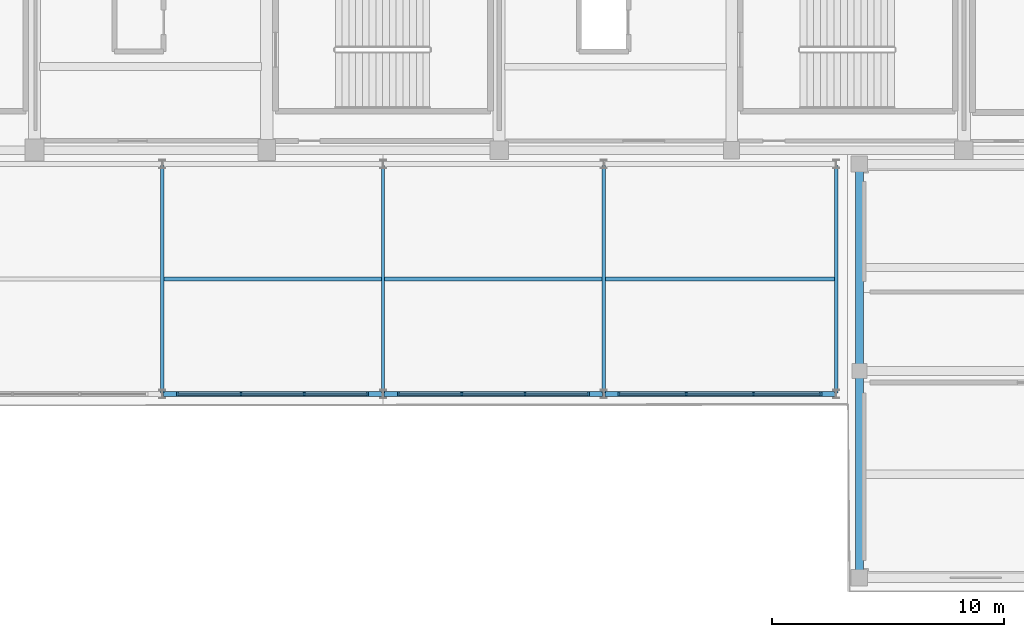
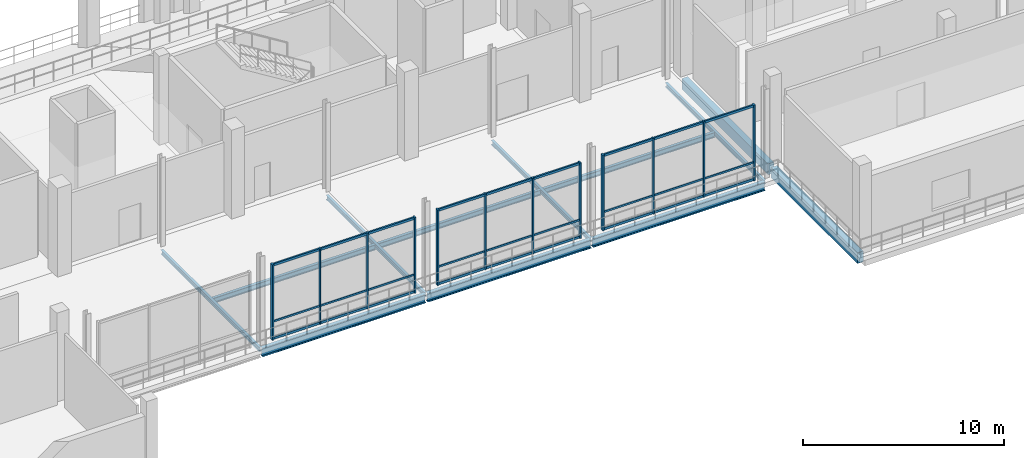
# One storey, part 23 of 127: 21 members, 12 beams, 3 elements without a shape of their own.
"""IFC4 building model written with IfcOpenShell, lengths in metres."""

import ifcopenshell
import ifcopenshell.guid

model = None  # the IFC model being written
_history = None  # IfcOwnerHistory: only IFC2X3 demands one
_inside = {}  # id of a spatial element -> (the spatial element, [elements in it])
_under = {}  # id of a project, library or spatial element -> (it, [spatial elements below it])
_declared = {}  # id of a project -> (the project, [libraries it declares])
_typed = {}  # id of a type object -> (the type object, [elements of that type])
_made_of = {}  # id of a material, layer set ... -> (it, [elements and type objects made of it])


def new_model(schema):
    """Start an empty IFC model of exactly this schema.

    Asked for "IFC4X3", IfcOpenShell would pick the latest addendum, in which some entities
    have other attributes; the version numbers below select the first issue.
    IFC2X3 requires an IfcOwnerHistory on every rooted entity: one is made here for all.
    """
    global model, _history
    if schema == "IFC4X3":
        model = ifcopenshell.file(schema_version=(4, 3, 0, 0))
    else:
        model = ifcopenshell.file(schema=schema)
    _inside.clear()
    _under.clear()
    _declared.clear()
    _typed.clear()
    _made_of.clear()
    _history = None
    if model.schema == "IFC2X3":
        org = make("IfcOrganization", Name="unknown")
        user = make(
            "IfcPersonAndOrganization",
            ThePerson=make("IfcPerson", FamilyName="unknown"),
            TheOrganization=org,
        )
        app = make(
            "IfcApplication",
            ApplicationDeveloper=org,
            Version="unknown",
            ApplicationFullName="unknown",
            ApplicationIdentifier="unknown",
        )
        _history = make(
            "IfcOwnerHistory",
            OwningUser=user,
            OwningApplication=app,
            ChangeAction="ADDED",
            CreationDate=0,
        )
    return model


def make(cls, **values):
    """One entity of the class cls with the attributes given. An attribute that is None is left unset."""
    return model.create_entity(
        cls, **{name: value for name, value in values.items() if value is not None}
    )


def rooted(cls, **values):
    """An entity with a GlobalId (a new one), such as an element, a storey or a relation."""
    return make(cls, GlobalId=ifcopenshell.guid.new(), OwnerHistory=_history, **values)


def si_unit(unit_type, name, prefix=None):
    """IfcSIUnit, for example si_unit("LENGTHUNIT", "METRE", prefix="MILLI")."""
    return make("IfcSIUnit", UnitType=unit_type, Prefix=prefix, Name=name)


def assignment(units):
    """IfcUnitAssignment: the units of a project."""
    return None if units is None else make("IfcUnitAssignment", Units=units)


def point(xyz):
    """IfcCartesianPoint."""
    return None if xyz is None else make("IfcCartesianPoint", Coordinates=xyz)


def direction(xyz):
    """IfcDirection."""
    return None if xyz is None else make("IfcDirection", DirectionRatios=xyz)


def frame(location, z_axis=None, x_axis=None):
    """IfcAxis2Placement3D, a coordinate frame: its origin and axes. An axis left out is left unset."""
    return make(
        "IfcAxis2Placement3D",
        Location=point(location),
        Axis=direction(z_axis),
        RefDirection=direction(x_axis),
    )


def frame_2d(location, x_axis=None):
    """IfcAxis2Placement2D, a coordinate frame in the plane: its origin and x axis."""
    return make(
        "IfcAxis2Placement2D", Location=point(location), RefDirection=direction(x_axis)
    )


def origin():
    """The frame at (0, 0, 0) with its axes left unset."""
    return frame((0.0, 0.0, 0.0))


def origin_2d():
    """The frame at (0, 0) in the plane with its x axis left unset."""
    return frame_2d((0.0, 0.0))


def place(relative_to, where):
    """IfcLocalPlacement: puts the frame where relative to a parent placement (None: the world)."""
    return make(
        "IfcLocalPlacement", PlacementRelTo=relative_to, RelativePlacement=where
    )


def context(
    kind, dimensions, precision=None, world=None, true_north=None, identifier=None
):
    """IfcGeometricRepresentationContext, for example the 3D "Model" context."""
    return make(
        "IfcGeometricRepresentationContext",
        ContextIdentifier=identifier,
        ContextType=kind,
        CoordinateSpaceDimension=dimensions,
        Precision=precision,
        WorldCoordinateSystem=world,
        TrueNorth=true_north,
    )


def subcontext(parent, identifier, kind, view, scale=None):
    """IfcGeometricRepresentationSubContext, for example "Body" below "Model"."""
    return make(
        "IfcGeometricRepresentationSubContext",
        ContextIdentifier=identifier,
        ContextType=kind,
        ParentContext=parent,
        TargetScale=scale,
        TargetView=view,
    )


def project(units=None, contexts=None):
    """IfcProject with its units and contexts."""
    return rooted(
        "IfcProject",
        Name="project",
        RepresentationContexts=contexts,
        UnitsInContext=assignment(units),
    )


def spatial(cls, under=None, at=None, **own):
    """A site, building, storey or space (cls), placed at a placement, below another one or the project."""
    s = rooted(cls, ObjectPlacement=at, **own)
    if under is not None:
        _under.setdefault(under.id(), (under, []))[1].append(s)
    return s


def profile(cls, at=None, kind="AREA", **sizes):
    """A parametric profile (cls). Its sizes go by their IFC names, for example OverallWidth=200.0."""
    return make(cls, ProfileType=kind, Position=at, **sizes)


def rectangle(**sizes):
    """IfcRectangleProfileDef."""
    return profile("IfcRectangleProfileDef", **sizes)


def i_section(**sizes):
    """IfcIShapeProfileDef."""
    return profile("IfcIShapeProfileDef", **sizes)


def extrude(swept, where, along, depth):
    """IfcExtrudedAreaSolid: the profile swept, set in the frame where, extruded along a direction by depth."""
    return make(
        "IfcExtrudedAreaSolid",
        SweptArea=swept,
        Position=where,
        ExtrudedDirection=direction(along),
        Depth=depth,
    )


def shape(context_of_items, identifier, shape_type, items):
    """IfcShapeRepresentation: the items that make up one representation, for example the "Body"."""
    return make(
        "IfcShapeRepresentation",
        ContextOfItems=context_of_items,
        RepresentationIdentifier=identifier,
        RepresentationType=shape_type,
        Items=items,
    )


def material(Name=None, Category=None):
    """IfcMaterial."""
    return make("IfcMaterial", Name=Name, Category=Category)


def material_profile(
    of_material, cross_section, Name=None, Category=None, Priority=None
):
    """IfcMaterialProfile: a cross section and its material."""
    return make(
        "IfcMaterialProfile",
        Name=Name,
        Material=of_material,
        Profile=cross_section,
        Priority=Priority,
        Category=Category,
    )


def profile_set(profiles, Name=None, composite=None):
    """IfcMaterialProfileSet."""
    return make(
        "IfcMaterialProfileSet",
        Name=Name,
        MaterialProfiles=profiles,
        CompositeProfile=composite,
    )


def made_of(thing, what):
    """Note that an element or type object is made of a material, layer set ...; save() writes the relation."""
    if what is not None:
        _made_of.setdefault(what.id(), (what, []))[1].append(thing)
    return thing


def type_object(cls, material=None, **own):
    """A type object (cls), such as IfcWallType, which elements share."""
    return made_of(rooted(cls, **own), material)


def element(
    cls,
    number,
    at=None,
    inside=None,
    cuts=None,
    type_object=None,
    material=None,
    context=None,
    identifier="Body",
    shape_type=None,
    held_by="IfcProductDefinitionShape",
    body=None,
    shapes=None,
    **own,
):
    """One element of the class cls, such as IfcWall. Its Tag is "e" and its number.

    at: its placement. inside: the storey or other place that contains it. cuts: it is an
    opening in that element (IfcRelVoidsElement). A single representation is given by context,
    identifier, shape_type and body (its items); several are given by shapes. held_by: the class
    of the entity that holds the representations. save() writes the other relations.
    """
    e = rooted(cls, Tag="e%d" % number, ObjectPlacement=at, **own)
    if body is not None:
        shapes = [shape(context, identifier, shape_type, body)]
    if shapes is not None:
        e.Representation = make(held_by, Representations=shapes)
    if inside is not None:
        _inside.setdefault(inside.id(), (inside, []))[1].append(e)
    if cuts is not None:
        rooted(
            "IfcRelVoidsElement", RelatingBuildingElement=cuts, RelatedOpeningElement=e
        )
    if type_object is not None:
        _typed.setdefault(type_object.id(), (type_object, []))[1].append(e)
    return made_of(e, material)


def aggregate(whole, parts):
    """IfcRelAggregates: a whole, such as a stair, and the parts it consists of."""
    return rooted("IfcRelAggregates", RelatingObject=whole, RelatedObjects=parts)


def save(model, path):
    """Write the relations noted so far, then the file.

    IfcRelAggregates (storeys below a building ...), IfcRelContainedInSpatialStructure (elements
    in a storey), IfcRelDefinesByType, IfcRelAssociatesMaterial and IfcRelDeclares: one each for
    every whole, place, type object, material and project.
    """
    for whole, parts in _under.values():
        aggregate(whole, parts)
    for where, things in _inside.values():
        rooted(
            "IfcRelContainedInSpatialStructure",
            RelatedElements=things,
            RelatingStructure=where,
        )
    for kind, things in _typed.values():
        rooted("IfcRelDefinesByType", RelatedObjects=things, RelatingType=kind)
    for what, things in _made_of.values():
        rooted("IfcRelAssociatesMaterial", RelatedObjects=things, RelatingMaterial=what)
    for by, libraries in _declared.values():
        rooted("IfcRelDeclares", RelatingContext=by, RelatedDefinitions=libraries)
    model.write(path)


model = new_model("IFC4")

# Units and contexts
model_context = context("Model", 3, precision=1e-05, world=origin(), true_north=direction((0.0, 1.0)))
body_context = subcontext(model_context, "Body", "Model", "MODEL_VIEW")
ifc_project = project(units=[si_unit("LENGTHUNIT", "METRE"), si_unit("AREAUNIT", "SQUARE_METRE"), si_unit("VOLUMEUNIT", "CUBIC_METRE"), si_unit("PLANEANGLEUNIT", "RADIAN"), si_unit("MASSUNIT", "GRAM", prefix="KILO")], contexts=[model_context])

# Site, building, storey
site_placement = place(None, origin())
site = spatial("IfcSite", under=ifc_project, at=site_placement, CompositionType="ELEMENT")
building_placement = place(site_placement, origin())
building = spatial("IfcBuilding", under=site, at=building_placement, Name="Candeia Ridge Stadium", CompositionType="ELEMENT")
storey_placement = place(building_placement, frame((0.0, 0.0, 10.800048828125)))
storey = spatial("IfcBuildingStorey", under=building, at=storey_placement, Name="L02", CompositionType="ELEMENT", Elevation=10.800048828125)

# Beams
ifc_material_1 = material(Name="Steel ASTM A572 Grade 50", Category="steel")
ifc_material_profile_1 = material_profile(ifc_material_1, i_section(OverallWidth=0.14794921875, OverallDepth=0.26611328125, WebThickness=0.007568359375, FlangeThickness=0.012939453125, FilletRadius=0.010986328125, at=origin_2d()), Name="W250x44.8", Category="steel")
ifc_profile_set_1 = profile_set([ifc_material_profile_1], Name="Steel ASTM A572 Grade 50")
beam_type_1 = type_object("IfcBeamType", Name="Canopy Edge Spandrel W250x44.8", PredefinedType="SPANDREL", material=ifc_profile_set_1)
for number, where, z_axis, x_axis, name in (
    (1, (96.5, 8.550048828125, -0.39306640625), (0.0, 1.0, 0.0), (-1.0, 0.0, 0.0), "Structural girder BM-L02-2189"),
    (2, (106.0, 8.550048828125, -0.39306640625), (0.0, 1.0, 0.0), (-1.0, 0.0, 0.0), "Structural girder BM-L02-2190"),
    (3, (115.5, 8.550048828125, -0.39306640625), (0.0, 1.0, 0.0), (-1.0, 0.0, 0.0), "Structural girder BM-L02-2191"),
    (4, (125.5, 8.550048828125, -0.39306640625), (0.0, 1.0, 0.0), (-1.0, 0.0, 0.0), "Structural girder BM-L02-2192"),
):
    element("IfcBeam", number, at=place(storey_placement, frame(where, z_axis=z_axis, x_axis=x_axis)), inside=storey, type_object=beam_type_1, Name=name, PredefinedType="SPANDREL", context=body_context, shape_type="SweptSolid", body=[
        extrude(i_section(OverallWidth=0.14794921875, OverallDepth=0.26611328125, WebThickness=0.007568359375, FlangeThickness=0.012939453125, FilletRadius=0.010986328125, at=origin_2d()), origin(), (0.0, 0.0, 1.0), 9.800048828125),
    ])

# Curtain wall, members
ifc_material_2 = material(Name="Aluminium Anodized Warm Bronze", Category="aluminium")
curtain_wall_type = type_object("IfcCurtainWallType", Name="Cardinal Entrance Gate Tall Glazed Curtain Wall", PredefinedType="NOTDEFINED", material=ifc_material_2)
curtain_wall_1_placement = place(storey_placement, origin())
curtain_wall_1 = element("IfcCurtainWall", 5, at=curtain_wall_1_placement, inside=storey, type_object=curtain_wall_type, Name="Unitised curtain wall CW-WNG-L02-128", PredefinedType="NOTDEFINED")
ifc_material_profile_2 = material_profile(ifc_material_2, rectangle(XDim=0.090087890625, YDim=0.179931640625, at=origin_2d()), Name="CWM-90x180", Category="aluminium")
ifc_profile_set_2 = profile_set([ifc_material_profile_2], Name="Aluminium Anodized Warm Bronze")
member_type_1 = type_object("IfcMemberType", Name="Curtain Wall Primary Mullion 90x180", PredefinedType="MULLION", material=ifc_profile_set_2)
member_1_placement = place(storey_placement, frame((97.159912109375, 8.5, 0.0), z_axis=(0.0, 0.0, 1.0), x_axis=(1.0, 0.0, 0.0)))
member_1 = element("IfcMember", 6, at=member_1_placement, type_object=member_type_1, Name="Curtain wall mullion CW-WNG-L02-128-M0", PredefinedType="MULLION", context=body_context, shape_type="SweptSolid", body=[
    extrude(rectangle(XDim=0.090087890625, YDim=0.179931640625, at=origin_2d()), origin(), (0.0, 0.0, 1.0), 4.60205078125),
])
member_2_placement = place(storey_placement, frame((105.340087890625, 8.5, 0.0), z_axis=(0.0, 0.0, 1.0), x_axis=(1.0, 0.0, 0.0)))
member_2 = element("IfcMember", 7, at=member_2_placement, type_object=member_type_1, Name="Curtain wall mullion CW-WNG-L02-128-M3", PredefinedType="MULLION", context=body_context, shape_type="SweptSolid", body=[
    extrude(rectangle(XDim=0.090087890625, YDim=0.179931640625, at=origin_2d()), origin(), (0.0, 0.0, 1.0), 4.60205078125),
])

curtain_wall_2_placement = place(storey_placement, origin())
curtain_wall_2 = element("IfcCurtainWall", 8, at=curtain_wall_2_placement, inside=storey, type_object=curtain_wall_type, Name="Unitised curtain wall CW-WNG-L02-129", PredefinedType="NOTDEFINED")
member_3_placement = place(storey_placement, frame((106.659912109375, 8.5, 0.0), z_axis=(0.0, 0.0, 1.0), x_axis=(1.0, 0.0, 0.0)))
member_3 = element("IfcMember", 9, at=member_3_placement, type_object=member_type_1, Name="Curtain wall mullion CW-WNG-L02-129-M0", PredefinedType="MULLION", context=body_context, shape_type="SweptSolid", body=[
    extrude(rectangle(XDim=0.090087890625, YDim=0.179931640625, at=origin_2d()), origin(), (0.0, 0.0, 1.0), 4.60205078125),
])
member_4_placement = place(storey_placement, frame((114.840087890625, 8.5, 0.0), z_axis=(0.0, 0.0, 1.0), x_axis=(1.0, 0.0, 0.0)))
member_4 = element("IfcMember", 10, at=member_4_placement, type_object=member_type_1, Name="Curtain wall mullion CW-WNG-L02-129-M3", PredefinedType="MULLION", context=body_context, shape_type="SweptSolid", body=[
    extrude(rectangle(XDim=0.090087890625, YDim=0.179931640625, at=origin_2d()), origin(), (0.0, 0.0, 1.0), 4.60205078125),
])

curtain_wall_3_placement = place(storey_placement, origin())
curtain_wall_3 = element("IfcCurtainWall", 11, at=curtain_wall_3_placement, inside=storey, type_object=curtain_wall_type, Name="Unitised curtain wall CW-WNG-L02-130", PredefinedType="NOTDEFINED")
member_5_placement = place(storey_placement, frame((116.159912109375, 8.5, 0.0), z_axis=(0.0, 0.0, 1.0), x_axis=(1.0, 0.0, 0.0)))
member_5 = element("IfcMember", 12, at=member_5_placement, type_object=member_type_1, Name="Curtain wall mullion CW-WNG-L02-130-M0", PredefinedType="MULLION", context=body_context, shape_type="SweptSolid", body=[
    extrude(rectangle(XDim=0.090087890625, YDim=0.179931640625, at=origin_2d()), origin(), (0.0, 0.0, 1.0), 4.60205078125),
])
member_6_placement = place(storey_placement, frame((124.840087890625, 8.5, 0.0), z_axis=(0.0, 0.0, 1.0), x_axis=(1.0, 0.0, 0.0)))
member_6 = element("IfcMember", 13, at=member_6_placement, type_object=member_type_1, Name="Curtain wall mullion CW-WNG-L02-130-M3", PredefinedType="MULLION", context=body_context, shape_type="SweptSolid", body=[
    extrude(rectangle(XDim=0.090087890625, YDim=0.179931640625, at=origin_2d()), origin(), (0.0, 0.0, 1.0), 4.60205078125),
])

# Member
ifc_material_profile_3 = material_profile(ifc_material_2, rectangle(XDim=0.074951171875, YDim=0.14990234375, at=origin_2d()), Name="CWM-75x150", Category="aluminium")
ifc_profile_set_3 = profile_set([ifc_material_profile_3], Name="Aluminium Anodized Warm Bronze")
member_type_2 = type_object("IfcMemberType", Name="Curtain Wall Secondary Mullion 75x150", PredefinedType="MULLION", material=ifc_profile_set_3)
member_7_placement = place(storey_placement, frame((99.88671875, 8.5, 0.0), z_axis=(0.0, 0.0, 1.0), x_axis=(1.0, 0.0, 0.0)))
member_7 = element("IfcMember", 14, at=member_7_placement, type_object=member_type_2, Name="Curtain wall mullion CW-WNG-L02-128-M1", PredefinedType="MULLION", context=body_context, shape_type="SweptSolid", body=[
    extrude(rectangle(XDim=0.074951171875, YDim=0.14990234375, at=origin_2d()), origin(), (0.0, 0.0, 1.0), 4.60205078125),
])

member_8_placement = place(storey_placement, frame((102.61328125, 8.5, 0.0), z_axis=(0.0, 0.0, 1.0), x_axis=(1.0, 0.0, 0.0)))
member_8 = element("IfcMember", 15, at=member_8_placement, type_object=member_type_2, Name="Curtain wall mullion CW-WNG-L02-128-M2", PredefinedType="MULLION", context=body_context, shape_type="SweptSolid", body=[
    extrude(rectangle(XDim=0.074951171875, YDim=0.14990234375, at=origin_2d()), origin(), (0.0, 0.0, 1.0), 4.60205078125),
])

member_9_placement = place(storey_placement, frame((109.38671875, 8.5, 0.0), z_axis=(0.0, 0.0, 1.0), x_axis=(1.0, 0.0, 0.0)))
member_9 = element("IfcMember", 16, at=member_9_placement, type_object=member_type_2, Name="Curtain wall mullion CW-WNG-L02-129-M1", PredefinedType="MULLION", context=body_context, shape_type="SweptSolid", body=[
    extrude(rectangle(XDim=0.074951171875, YDim=0.14990234375, at=origin_2d()), origin(), (0.0, 0.0, 1.0), 4.60205078125),
])

member_10_placement = place(storey_placement, frame((112.11328125, 8.5, 0.0), z_axis=(0.0, 0.0, 1.0), x_axis=(1.0, 0.0, 0.0)))
member_10 = element("IfcMember", 17, at=member_10_placement, type_object=member_type_2, Name="Curtain wall mullion CW-WNG-L02-129-M2", PredefinedType="MULLION", context=body_context, shape_type="SweptSolid", body=[
    extrude(rectangle(XDim=0.074951171875, YDim=0.14990234375, at=origin_2d()), origin(), (0.0, 0.0, 1.0), 4.60205078125),
])

member_11_placement = place(storey_placement, frame((119.05322265625, 8.5, 0.0), z_axis=(0.0, 0.0, 1.0), x_axis=(1.0, 0.0, 0.0)))
member_11 = element("IfcMember", 18, at=member_11_placement, type_object=member_type_2, Name="Curtain wall mullion CW-WNG-L02-130-M1", PredefinedType="MULLION", context=body_context, shape_type="SweptSolid", body=[
    extrude(rectangle(XDim=0.074951171875, YDim=0.14990234375, at=origin_2d()), origin(), (0.0, 0.0, 1.0), 4.60205078125),
])

member_12_placement = place(storey_placement, frame((121.94677734375, 8.5, 0.0), z_axis=(0.0, 0.0, 1.0), x_axis=(1.0, 0.0, 0.0)))
member_12 = element("IfcMember", 19, at=member_12_placement, type_object=member_type_2, Name="Curtain wall mullion CW-WNG-L02-130-M2", PredefinedType="MULLION", context=body_context, shape_type="SweptSolid", body=[
    extrude(rectangle(XDim=0.074951171875, YDim=0.14990234375, at=origin_2d()), origin(), (0.0, 0.0, 1.0), 4.60205078125),
])

ifc_material_profile_4 = material_profile(ifc_material_2, rectangle(XDim=0.074951171875, YDim=0.110107421875, at=origin_2d()), Name="CWT-75x110", Category="aluminium")
ifc_profile_set_4 = profile_set([ifc_material_profile_4], Name="Aluminium Anodized Warm Bronze")
member_type_3 = type_object("IfcMemberType", Name="Curtain Wall Secondary Transom 75x110", PredefinedType="USERDEFINED", material=ifc_profile_set_4)
member_13_placement = place(storey_placement, frame((97.159912109375, 8.5, 1.099853515625), z_axis=(1.0, 0.0, 0.0), x_axis=(0.0, 1.0, 0.0)))
member_13 = element("IfcMember", 20, at=member_13_placement, type_object=member_type_3, Name="Curtain wall transom CW-WNG-L02-128-T1", ObjectType="TRANSOM", PredefinedType="USERDEFINED", context=body_context, shape_type="SweptSolid", body=[
    extrude(rectangle(XDim=0.074951171875, YDim=0.110107421875, at=origin_2d()), origin(), (0.0, 0.0, 1.0), 8.18017578125),
])

member_14_placement = place(storey_placement, frame((106.659912109375, 8.5, 1.099853515625), z_axis=(1.0, 0.0, 0.0), x_axis=(0.0, 1.0, 0.0)))
member_14 = element("IfcMember", 21, at=member_14_placement, type_object=member_type_3, Name="Curtain wall transom CW-WNG-L02-129-T1", ObjectType="TRANSOM", PredefinedType="USERDEFINED", context=body_context, shape_type="SweptSolid", body=[
    extrude(rectangle(XDim=0.074951171875, YDim=0.110107421875, at=origin_2d()), origin(), (0.0, 0.0, 1.0), 8.18017578125),
])

member_15_placement = place(storey_placement, frame((116.159912109375, 8.5, 1.099853515625), z_axis=(1.0, 0.0, 0.0), x_axis=(0.0, 1.0, 0.0)))
member_15 = element("IfcMember", 22, at=member_15_placement, type_object=member_type_3, Name="Curtain wall transom CW-WNG-L02-130-T1", ObjectType="TRANSOM", PredefinedType="USERDEFINED", context=body_context, shape_type="SweptSolid", body=[
    extrude(rectangle(XDim=0.074951171875, YDim=0.110107421875, at=origin_2d()), origin(), (0.0, 0.0, 1.0), 8.68017578125),
])

ifc_material_profile_5 = material_profile(ifc_material_2, rectangle(XDim=0.090087890625, YDim=0.139892578125, at=origin_2d()), Name="CWT-90x140", Category="aluminium")
ifc_profile_set_5 = profile_set([ifc_material_profile_5], Name="Aluminium Anodized Warm Bronze")
member_type_4 = type_object("IfcMemberType", Name="Curtain Wall Transom 90x140", PredefinedType="USERDEFINED", material=ifc_profile_set_5)
member_16_placement = place(storey_placement, frame((97.159912109375, 8.5, 0.070068359375), z_axis=(1.0, 0.0, 0.0), x_axis=(0.0, 1.0, 0.0)))
member_16 = element("IfcMember", 23, at=member_16_placement, type_object=member_type_4, Name="Curtain wall transom CW-WNG-L02-128-T0", ObjectType="TRANSOM", PredefinedType="USERDEFINED", context=body_context, shape_type="SweptSolid", body=[
    extrude(rectangle(XDim=0.090087890625, YDim=0.139892578125, at=origin_2d()), origin(), (0.0, 0.0, 1.0), 8.18017578125),
])

member_17_placement = place(storey_placement, frame((97.159912109375, 8.5, 4.531982421875), z_axis=(1.0, 0.0, 0.0), x_axis=(0.0, 1.0, 0.0)))
member_17 = element("IfcMember", 24, at=member_17_placement, type_object=member_type_4, Name="Curtain wall transom CW-WNG-L02-128-T2", ObjectType="TRANSOM", PredefinedType="USERDEFINED", context=body_context, shape_type="SweptSolid", body=[
    extrude(rectangle(XDim=0.090087890625, YDim=0.139892578125, at=origin_2d()), origin(), (0.0, 0.0, 1.0), 8.18017578125),
])

aggregate(curtain_wall_1, [member_1, member_7, member_8, member_2, member_16, member_13, member_17])

member_18_placement = place(storey_placement, frame((106.659912109375, 8.5, 0.070068359375), z_axis=(1.0, 0.0, 0.0), x_axis=(0.0, 1.0, 0.0)))
member_18 = element("IfcMember", 25, at=member_18_placement, type_object=member_type_4, Name="Curtain wall transom CW-WNG-L02-129-T0", ObjectType="TRANSOM", PredefinedType="USERDEFINED", context=body_context, shape_type="SweptSolid", body=[
    extrude(rectangle(XDim=0.090087890625, YDim=0.139892578125, at=origin_2d()), origin(), (0.0, 0.0, 1.0), 8.18017578125),
])

member_19_placement = place(storey_placement, frame((106.659912109375, 8.5, 4.531982421875), z_axis=(1.0, 0.0, 0.0), x_axis=(0.0, 1.0, 0.0)))
member_19 = element("IfcMember", 26, at=member_19_placement, type_object=member_type_4, Name="Curtain wall transom CW-WNG-L02-129-T2", ObjectType="TRANSOM", PredefinedType="USERDEFINED", context=body_context, shape_type="SweptSolid", body=[
    extrude(rectangle(XDim=0.090087890625, YDim=0.139892578125, at=origin_2d()), origin(), (0.0, 0.0, 1.0), 8.18017578125),
])

aggregate(curtain_wall_2, [member_3, member_9, member_10, member_4, member_18, member_14, member_19])

member_20_placement = place(storey_placement, frame((116.159912109375, 8.5, 0.070068359375), z_axis=(1.0, 0.0, 0.0), x_axis=(0.0, 1.0, 0.0)))
member_20 = element("IfcMember", 27, at=member_20_placement, type_object=member_type_4, Name="Curtain wall transom CW-WNG-L02-130-T0", ObjectType="TRANSOM", PredefinedType="USERDEFINED", context=body_context, shape_type="SweptSolid", body=[
    extrude(rectangle(XDim=0.090087890625, YDim=0.139892578125, at=origin_2d()), origin(), (0.0, 0.0, 1.0), 8.68017578125),
])

member_21_placement = place(storey_placement, frame((116.159912109375, 8.5, 4.531982421875), z_axis=(1.0, 0.0, 0.0), x_axis=(0.0, 1.0, 0.0)))
member_21 = element("IfcMember", 28, at=member_21_placement, type_object=member_type_4, Name="Curtain wall transom CW-WNG-L02-130-T2", ObjectType="TRANSOM", PredefinedType="USERDEFINED", context=body_context, shape_type="SweptSolid", body=[
    extrude(rectangle(XDim=0.090087890625, YDim=0.139892578125, at=origin_2d()), origin(), (0.0, 0.0, 1.0), 8.68017578125),
])

aggregate(curtain_wall_3, [member_5, member_11, member_12, member_6, member_20, member_15, member_21])

# Beams
ifc_material_profile_6 = material_profile(ifc_material_1, i_section(OverallWidth=0.208984375, OverallDepth=0.532958984375, WebThickness=0.01025390625, FlangeThickness=0.015625, FilletRadius=0.013916015625, at=origin_2d()), Name="W530x92", Category="steel")
ifc_profile_set_6 = profile_set([ifc_material_profile_6], Name="Steel ASTM A572 Grade 50")
beam_type_2 = type_object("IfcBeamType", Name="Gate Portal Girder W530x92", PredefinedType="BEAM", material=ifc_profile_set_6)
for number, where, z_axis, x_axis, name in (
    (29, (96.550048828125, 8.5, -0.526611328125), (1.0, 0.0, 0.0), (0.0, 1.0, 0.0), "Structural girder BM-L02-2196"),
    (30, (106.050048828125, 8.5, -0.526611328125), (1.0, 0.0, 0.0), (0.0, 1.0, 0.0), "Structural girder BM-L02-2199"),
):
    element("IfcBeam", number, at=place(storey_placement, frame(where, z_axis=z_axis, x_axis=x_axis)), inside=storey, type_object=beam_type_2, Name=name, PredefinedType="BEAM", context=body_context, shape_type="SweptSolid", body=[
        extrude(i_section(OverallWidth=0.208984375, OverallDepth=0.532958984375, WebThickness=0.01025390625, FlangeThickness=0.015625, FilletRadius=0.013916015625, at=origin_2d()), origin(), (0.0, 0.0, 1.0), 9.39990234375),
    ])
beam_1_placement = place(storey_placement, frame((115.550048828125, 8.5, -0.526611328125), z_axis=(1.0, 0.0, 0.0), x_axis=(0.0, 1.0, 0.0)))
element("IfcBeam", 31, at=beam_1_placement, inside=storey, type_object=beam_type_2, Name="Structural girder BM-L02-2202", PredefinedType="BEAM", context=body_context, shape_type="SweptSolid", body=[
    extrude(i_section(OverallWidth=0.208984375, OverallDepth=0.532958984375, WebThickness=0.01025390625, FlangeThickness=0.015625, FilletRadius=0.013916015625, at=origin_2d()), origin(), (0.0, 0.0, 1.0), 9.89990234375),
])
ifc_material_profile_7 = material_profile(ifc_material_1, i_section(OverallWidth=0.1669921875, OverallDepth=0.31689453125, WebThickness=0.007568359375, FlangeThickness=0.01318359375, FilletRadius=0.011962890625, at=origin_2d()), Name="W310x52", Category="steel")
ifc_profile_set_7 = profile_set([ifc_material_profile_7], Name="Steel ASTM A572 Grade 50")
beam_type_3 = type_object("IfcBeamType", Name="Pavilion Secondary Joist W310x52", PredefinedType="JOIST", material=ifc_profile_set_7)
for number, where, z_axis, x_axis, name in (
    (32, (96.573486328125, 13.449951171875, -0.41845703125), (1.0, 0.0, 0.0), (0.0, 1.0, 0.0), "Wing secondary joist BM-L02-2197"),
    (33, (106.073486328125, 13.449951171875, -0.41845703125), (1.0, 0.0, 0.0), (0.0, 1.0, 0.0), "Wing secondary joist BM-L02-2200"),
):
    element("IfcBeam", number, at=place(storey_placement, frame(where, z_axis=z_axis, x_axis=x_axis)), inside=storey, type_object=beam_type_3, Name=name, PredefinedType="JOIST", context=body_context, shape_type="SweptSolid", body=[
        extrude(i_section(OverallWidth=0.1669921875, OverallDepth=0.31689453125, WebThickness=0.007568359375, FlangeThickness=0.01318359375, FilletRadius=0.011962890625, at=origin_2d()), origin(), (0.0, 0.0, 1.0), 9.35302734375),
    ])
beam_2_placement = place(storey_placement, frame((115.573486328125, 13.449951171875, -0.41845703125), z_axis=(1.0, 0.0, 0.0), x_axis=(0.0, 1.0, 0.0)))
element("IfcBeam", 34, at=beam_2_placement, inside=storey, type_object=beam_type_3, Name="Wing secondary joist BM-L02-2203", PredefinedType="JOIST", context=body_context, shape_type="SweptSolid", body=[
    extrude(i_section(OverallWidth=0.1669921875, OverallDepth=0.31689453125, WebThickness=0.007568359375, FlangeThickness=0.01318359375, FilletRadius=0.011962890625, at=origin_2d()), origin(), (0.0, 0.0, 1.0), 9.85302734375),
])
ifc_material_3 = material(Name="Concrete C40/50", Category="concrete")
ifc_material_profile_8 = material_profile(ifc_material_3, rectangle(XDim=0.35009765625, YDim=0.64990234375, at=origin_2d()), Name="RC350x650", Category="concrete")
ifc_profile_set_8 = profile_set([ifc_material_profile_8], Name="Concrete C40/50")
beam_type_4 = type_object("IfcBeamType", Name="Spandrel Beam RC350x650", PredefinedType="SPANDREL", material=ifc_profile_set_8)
for number, where, z_axis, x_axis, name in (
    (35, (126.5, 0.760009765625, -0.5849609375), (0.0, 1.0, 0.0), (-1.0, 0.0, 0.0), "Structural girder BM-L02-2148"),
    (36, (126.5, 9.659912109375, -0.5849609375), (0.0, 1.0, 0.0), (-1.0, 0.0, 0.0), "Structural girder BM-L02-2149"),
):
    element("IfcBeam", number, at=place(storey_placement, frame(where, z_axis=z_axis, x_axis=x_axis)), inside=storey, type_object=beam_type_4, Name=name, PredefinedType="SPANDREL", context=body_context, shape_type="SweptSolid", body=[
        extrude(rectangle(XDim=0.35009765625, YDim=0.64990234375, at=origin_2d()), origin(), (0.0, 0.0, 1.0), 8.580078125),
    ])

save(model, "model.ifc")
